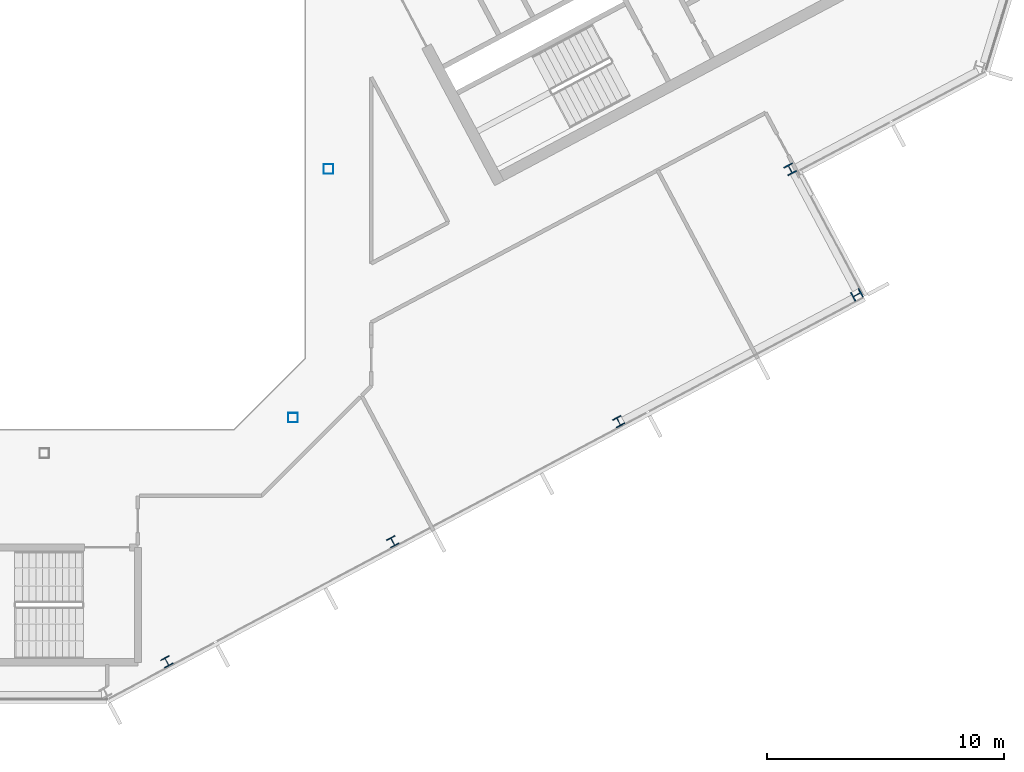
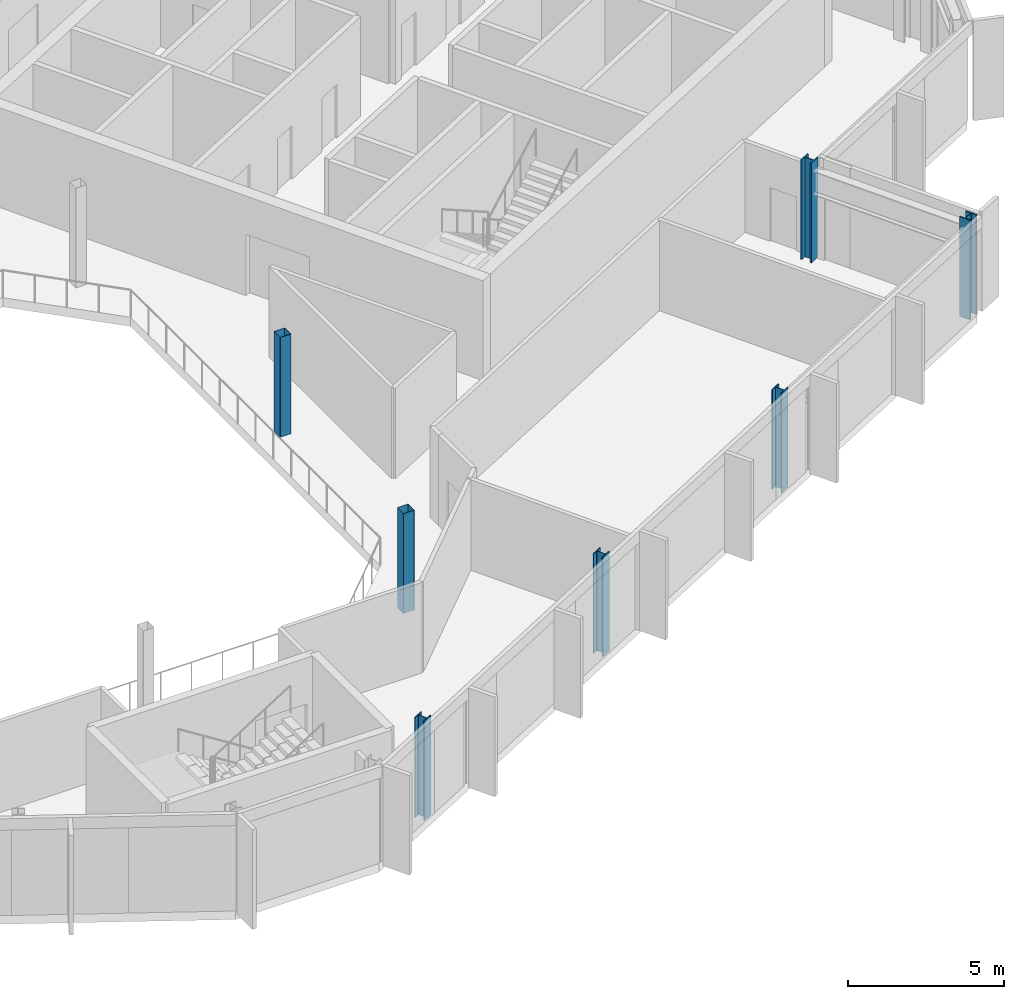
# One storey, part 5 of 25: 7 columns.
"""IFC4 building model written with IfcOpenShell, lengths in metres."""

from ifc_helpers import new_model, si_unit, direction, frame, origin, origin_2d, place, context, subcontext, project, spatial, hollow_rectangle, i_section, extrude, material, material_profile, profile_set, type_object, element, save


model = new_model("IFC4")

# Units and contexts
model_context = context("Model", 3, precision=1e-05, world=origin(), true_north=direction((0.0, 1.0)))
body_context = subcontext(model_context, "Body", "Model", "MODEL_VIEW")
ifc_project = project(units=[si_unit("LENGTHUNIT", "METRE"), si_unit("AREAUNIT", "SQUARE_METRE"), si_unit("VOLUMEUNIT", "CUBIC_METRE"), si_unit("PLANEANGLEUNIT", "RADIAN"), si_unit("MASSUNIT", "GRAM", prefix="KILO")], contexts=[model_context])

# Site, building, storey
site_placement = place(None, origin())
site = spatial("IfcSite", under=ifc_project, at=site_placement, CompositionType="ELEMENT")
building_placement = place(site_placement, origin())
building = spatial("IfcBuilding", under=site, at=building_placement, Name="Cormorant Relay Tower", CompositionType="ELEMENT")
storey_placement = place(building_placement, frame((0.0, 0.0, 281.39990234375)))
storey = spatial("IfcBuildingStorey", under=building, at=storey_placement, Name="L63", CompositionType="ELEMENT", Elevation=281.39990234375)

# Columns
ifc_material_1 = material(Name="Steel ASTM A500 Grade C (Fy 345 MPa)", Category="steel")
ifc_material_profile_1 = material_profile(ifc_material_1, hollow_rectangle(XDim=0.406494140625, YDim=0.406494140625, WallThickness=0.0087890625, InnerFilletRadius=0.00439453125, OuterFilletRadius=0.01318359375, at=origin_2d()), Name="HSS406x406x9")
ifc_profile_set_1 = profile_set([ifc_material_profile_1], Name="Steel ASTM A500 Grade C (Fy 345 MPa)")
column_type_1 = type_object("IfcColumnType", Name="Column HSS406x406x9", PredefinedType="COLUMN", material=ifc_profile_set_1)
for number, where, z_axis, x_axis, name in (
    (1, (10.5, -10.5, 0.0), (0.0, 0.0, 1.0), (1.0, 0.0, 0.0), "Column L63-010"),
    (2, (12.0, 0.0, 0.0), (0.0, 0.0, 1.0), (1.0, 0.0, 0.0), "Column L63-016"),
):
    element("IfcColumn", number, at=place(storey_placement, frame(where, z_axis=z_axis, x_axis=x_axis)), inside=storey, type_object=column_type_1, Name=name, PredefinedType="COLUMN", context=body_context, shape_type="SweptSolid", body=[
        extrude(hollow_rectangle(XDim=0.406494140625, YDim=0.406494140625, WallThickness=0.0087890625, InnerFilletRadius=0.00439453125, OuterFilletRadius=0.01318359375, at=origin_2d()), origin(), (0.0, 0.0, 1.0), 3.900146484375),
    ])
ifc_material_2 = material(Name="Steel ASTM A992 (Fy 345 MPa)", Category="steel")
ifc_material_profile_2 = material_profile(ifc_material_2, i_section(OverallWidth=0.398681640625, OverallDepth=0.385986328125, WebThickness=0.02099609375, FlangeThickness=0.033203125, FilletRadius=0.01513671875, at=origin_2d()), Name="W360x262")
ifc_profile_set_2 = profile_set([ifc_material_profile_2], Name="Steel ASTM A992 (Fy 345 MPa)")
column_type_2 = type_object("IfcColumnType", Name="Column W360x262", PredefinedType="COLUMN", material=ifc_profile_set_2)
for number, where, z_axis, x_axis, name in (
    (3, (5.174072265625, -20.806884765625, 0.0), (0.0, 0.0, 1.0), (0.882947592859, 0.469471562786, 0.0), "Column L63-003"),
    (4, (14.7099609375, -15.736083984375, 0.0), (0.0, 0.0, 1.0), (0.882947592859, 0.469471562786, 0.0), "Column L63-005"),
    (5, (24.2451171875, -10.666015625, 0.0), (0.0, 0.0, 1.0), (0.882947592859, 0.469471562786, 0.0), "Column L63-008"),
):
    element("IfcColumn", number, at=place(storey_placement, frame(where, z_axis=z_axis, x_axis=x_axis)), inside=storey, type_object=column_type_2, Name=name, PredefinedType="COLUMN", context=body_context, shape_type="SweptSolid", body=[
        extrude(i_section(OverallWidth=0.398681640625, OverallDepth=0.385986328125, WebThickness=0.02099609375, FlangeThickness=0.033203125, FilletRadius=0.01513671875, at=origin_2d()), origin(), (0.0, 0.0, 1.0), 3.900146484375),
    ])
ifc_material_3 = material(Name="Steel ASTM A992 (Fy 345 MPa)", Category="steel")
ifc_material_profile_3 = material_profile(ifc_material_3, i_section(OverallWidth=0.40380859375, OverallDepth=0.406494140625, WebThickness=0.027099609375, FlangeThickness=0.043701171875, FilletRadius=0.01513671875, at=origin_2d()), Name="W360x347")
ifc_profile_set_3 = profile_set([ifc_material_profile_3], Name="Steel ASTM A992 (Fy 345 MPa)")
column_type_3 = type_object("IfcColumnType", Name="Column W360x347", PredefinedType="COLUMN", material=ifc_profile_set_3)
for number, where, z_axis, x_axis, name in (
    (6, (34.303955078125, -5.31201171875, 0.0), (0.0, 0.0, 1.0), (-0.469471562786, 0.882947592859, 0.0), "Column L63-012"),
    (7, (31.487060546875, -0.013916015625, 0.0), (0.0, 0.0, 1.0), (0.882947592859, 0.469471562786, 0.0), "Column L63-014"),
):
    element("IfcColumn", number, at=place(storey_placement, frame(where, z_axis=z_axis, x_axis=x_axis)), inside=storey, type_object=column_type_3, Name=name, PredefinedType="COLUMN", context=body_context, shape_type="SweptSolid", body=[
        extrude(i_section(OverallWidth=0.40380859375, OverallDepth=0.406494140625, WebThickness=0.027099609375, FlangeThickness=0.043701171875, FilletRadius=0.01513671875, at=origin_2d()), origin(), (0.0, 0.0, 1.0), 3.900146484375),
    ])

save(model, "model.ifc")
